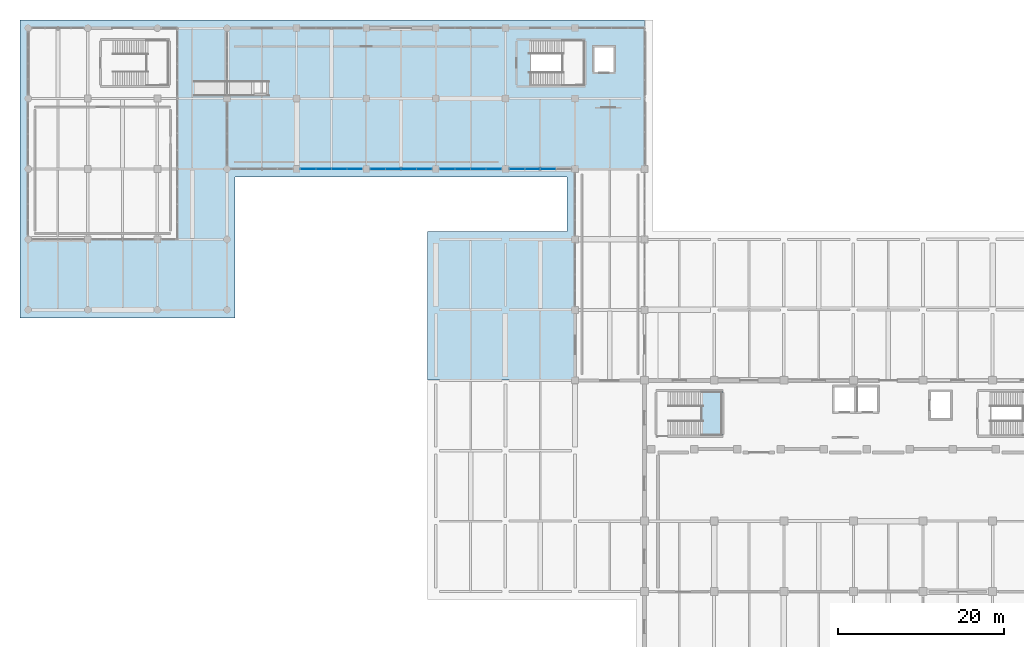
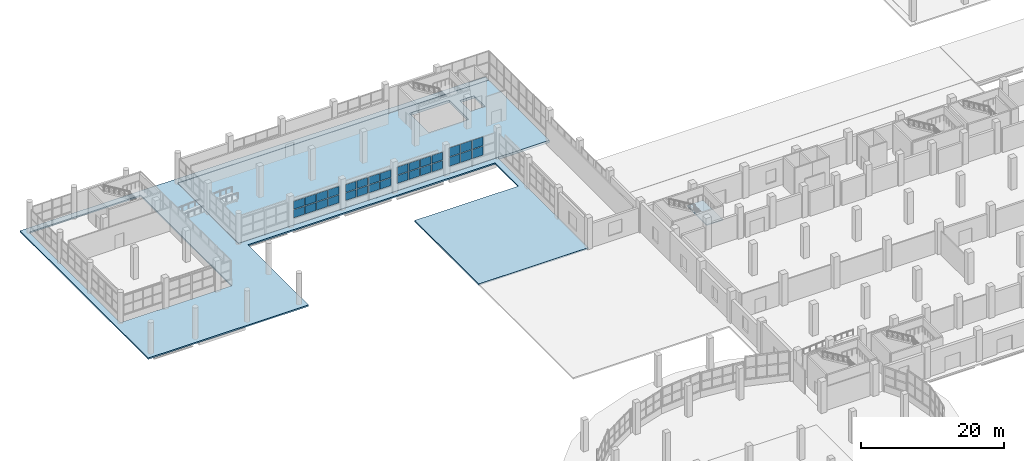
# One storey, part 78 of 107: 30 plates, 3 slabs, 5 elements without a shape of their own.
"""IFC4 building model written with IfcOpenShell, lengths in metres."""

from ifc_helpers import new_model, si_unit, direction, frame, origin, origin_2d, place, context, subcontext, project, spatial, polyline, rectangle, outline, extrude, material, layer, layer_set, type_object, element, aggregate, save


model = new_model("IFC4")

# Units and contexts
model_context = context("Model", 3, precision=1e-05, world=origin(), true_north=direction((0.0, 1.0)))
body_context = subcontext(model_context, "Body", "Model", "MODEL_VIEW")
ifc_project = project(units=[si_unit("LENGTHUNIT", "METRE"), si_unit("AREAUNIT", "SQUARE_METRE"), si_unit("VOLUMEUNIT", "CUBIC_METRE"), si_unit("PLANEANGLEUNIT", "RADIAN"), si_unit("MASSUNIT", "GRAM", prefix="KILO")], contexts=[model_context])

# Site, building, storey
site_placement = place(None, origin())
site = spatial("IfcSite", under=ifc_project, at=site_placement, CompositionType="ELEMENT")
building_placement = place(site_placement, origin())
building = spatial("IfcBuilding", under=site, at=building_placement, Name="Solvento Point Concert Hall", CompositionType="ELEMENT")
storey_placement = place(building_placement, origin())
storey = spatial("IfcBuildingStorey", under=building, at=storey_placement, Name="L00", CompositionType="ELEMENT", Elevation=0.0)

# Curtain wall, plates
ifc_material_1 = material(Name="Anodized Bronze Aluminium", Category="aluminium")
curtain_wall_type = type_object("IfcCurtainWallType", Name="CurtainWall_CourtPilotis", PredefinedType="USERDEFINED", material=ifc_material_1)
curtain_wall_1_placement = place(storey_placement, origin())
curtain_wall_1 = element("IfcCurtainWall", 1, at=curtain_wall_1_placement, inside=storey, type_object=curtain_wall_type, Name="Unitised curtain wall CW-96 UCW-L00-023", ObjectType="UNITISED CURTAIN WALL", PredefinedType="USERDEFINED")
ifc_material_2 = material(Name="Hurricane Laminated Low-E Glass", Category="glass")
plate_type = type_object("IfcPlateType", Name="CurtainPanel_CourtPilotis", PredefinedType="CURTAIN_PANEL", material=ifc_material_2)
plate_1_placement = place(storey_placement, frame((33.794921875, 119.0, 1.240234375), z_axis=(0.0, 0.0, 1.0), x_axis=(1.0, 0.0, 0.0)))
plate_1 = element("IfcPlate", 2, at=plate_1_placement, type_object=plate_type, Name="Glazed curtain panel GL-06", PredefinedType="CURTAIN_PANEL", context=body_context, shape_type="SweptSolid", body=[
    extrude(rectangle(XDim=1.75, YDim=0.030029296875, at=origin_2d()), origin(), (0.0, 0.0, 1.0), 1.348388671875),
])
plate_2_placement = place(storey_placement, frame((33.794921875, 119.0, 2.70849609375), z_axis=(0.0, 0.0, 1.0), x_axis=(1.0, 0.0, 0.0)))
plate_2 = element("IfcPlate", 3, at=plate_2_placement, type_object=plate_type, Name="Glazed curtain panel GL-06", PredefinedType="CURTAIN_PANEL", context=body_context, shape_type="SweptSolid", body=[
    extrude(rectangle(XDim=1.75, YDim=0.030029296875, at=origin_2d()), origin(), (0.0, 0.0, 1.0), 1.348388671875),
])
plate_3_placement = place(storey_placement, frame((35.6650390625, 119.0, 1.240234375), z_axis=(0.0, 0.0, 1.0), x_axis=(1.0, 0.0, 0.0)))
plate_3 = element("IfcPlate", 4, at=plate_3_placement, type_object=plate_type, Name="Glazed curtain panel GL-06", PredefinedType="CURTAIN_PANEL", context=body_context, shape_type="SweptSolid", body=[
    extrude(rectangle(XDim=1.75, YDim=0.030029296875, at=origin_2d()), origin(), (0.0, 0.0, 1.0), 1.348388671875),
])
plate_4_placement = place(storey_placement, frame((35.6650390625, 119.0, 2.70849609375), z_axis=(0.0, 0.0, 1.0), x_axis=(1.0, 0.0, 0.0)))
plate_4 = element("IfcPlate", 5, at=plate_4_placement, type_object=plate_type, Name="Glazed curtain panel GL-06", PredefinedType="CURTAIN_PANEL", context=body_context, shape_type="SweptSolid", body=[
    extrude(rectangle(XDim=1.75, YDim=0.030029296875, at=origin_2d()), origin(), (0.0, 0.0, 1.0), 1.348388671875),
])
plate_5_placement = place(storey_placement, frame((37.534912109375, 119.0, 1.240234375), z_axis=(0.0, 0.0, 1.0), x_axis=(1.0, 0.0, 0.0)))
plate_5 = element("IfcPlate", 6, at=plate_5_placement, type_object=plate_type, Name="Glazed curtain panel GL-06", PredefinedType="CURTAIN_PANEL", context=body_context, shape_type="SweptSolid", body=[
    extrude(rectangle(XDim=1.75, YDim=0.030029296875, at=origin_2d()), origin(), (0.0, 0.0, 1.0), 1.348388671875),
])
plate_6_placement = place(storey_placement, frame((37.534912109375, 119.0, 2.70849609375), z_axis=(0.0, 0.0, 1.0), x_axis=(1.0, 0.0, 0.0)))
plate_6 = element("IfcPlate", 7, at=plate_6_placement, type_object=plate_type, Name="Glazed curtain panel GL-06", PredefinedType="CURTAIN_PANEL", context=body_context, shape_type="SweptSolid", body=[
    extrude(rectangle(XDim=1.75, YDim=0.030029296875, at=origin_2d()), origin(), (0.0, 0.0, 1.0), 1.348388671875),
])
plate_7_placement = place(storey_placement, frame((39.405029296875, 119.0, 1.240234375), z_axis=(0.0, 0.0, 1.0), x_axis=(1.0, 0.0, 0.0)))
plate_7 = element("IfcPlate", 8, at=plate_7_placement, type_object=plate_type, Name="Glazed curtain panel GL-06", PredefinedType="CURTAIN_PANEL", context=body_context, shape_type="SweptSolid", body=[
    extrude(rectangle(XDim=1.75, YDim=0.030029296875, at=origin_2d()), origin(), (0.0, 0.0, 1.0), 1.348388671875),
])
plate_8_placement = place(storey_placement, frame((39.405029296875, 119.0, 2.70849609375), z_axis=(0.0, 0.0, 1.0), x_axis=(1.0, 0.0, 0.0)))
plate_8 = element("IfcPlate", 9, at=plate_8_placement, type_object=plate_type, Name="Glazed curtain panel GL-06", PredefinedType="CURTAIN_PANEL", context=body_context, shape_type="SweptSolid", body=[
    extrude(rectangle(XDim=1.75, YDim=0.030029296875, at=origin_2d()), origin(), (0.0, 0.0, 1.0), 1.348388671875),
])
aggregate(curtain_wall_1, [plate_1, plate_2, plate_3, plate_4, plate_5, plate_6, plate_7, plate_8])

curtain_wall_2_placement = place(storey_placement, origin())
curtain_wall_2 = element("IfcCurtainWall", 10, at=curtain_wall_2_placement, inside=storey, type_object=curtain_wall_type, Name="Unitised curtain wall CW-96 UCW-L00-024", ObjectType="UNITISED CURTAIN WALL", PredefinedType="USERDEFINED")
plate_9_placement = place(storey_placement, frame((42.195068359375, 119.0, 1.23974609375), z_axis=(0.0, 0.0, 1.0), x_axis=(1.0, 0.0, 0.0)))
plate_9 = element("IfcPlate", 11, at=plate_9_placement, type_object=plate_type, Name="Glazed curtain panel GL-06", PredefinedType="CURTAIN_PANEL", context=body_context, shape_type="SweptSolid", body=[
    extrude(rectangle(XDim=1.75, YDim=0.030029296875, at=origin_2d()), origin(), (0.0, 0.0, 1.0), 1.299072265625),
])
plate_10_placement = place(storey_placement, frame((42.195068359375, 119.0, 2.6591796875), z_axis=(0.0, 0.0, 1.0), x_axis=(1.0, 0.0, 0.0)))
plate_10 = element("IfcPlate", 12, at=plate_10_placement, type_object=plate_type, Name="Glazed curtain panel GL-06", PredefinedType="CURTAIN_PANEL", context=body_context, shape_type="SweptSolid", body=[
    extrude(rectangle(XDim=1.75, YDim=0.030029296875, at=origin_2d()), origin(), (0.0, 0.0, 1.0), 1.299072265625),
])
plate_11_placement = place(storey_placement, frame((44.06494140625, 119.0, 1.23974609375), z_axis=(0.0, 0.0, 1.0), x_axis=(1.0, 0.0, 0.0)))
plate_11 = element("IfcPlate", 13, at=plate_11_placement, type_object=plate_type, Name="Glazed curtain panel GL-06", PredefinedType="CURTAIN_PANEL", context=body_context, shape_type="SweptSolid", body=[
    extrude(rectangle(XDim=1.75, YDim=0.030029296875, at=origin_2d()), origin(), (0.0, 0.0, 1.0), 1.299072265625),
])
plate_12_placement = place(storey_placement, frame((44.06494140625, 119.0, 2.6591796875), z_axis=(0.0, 0.0, 1.0), x_axis=(1.0, 0.0, 0.0)))
plate_12 = element("IfcPlate", 14, at=plate_12_placement, type_object=plate_type, Name="Glazed curtain panel GL-06", PredefinedType="CURTAIN_PANEL", context=body_context, shape_type="SweptSolid", body=[
    extrude(rectangle(XDim=1.75, YDim=0.030029296875, at=origin_2d()), origin(), (0.0, 0.0, 1.0), 1.299072265625),
])
plate_13_placement = place(storey_placement, frame((45.93505859375, 119.0, 1.23974609375), z_axis=(0.0, 0.0, 1.0), x_axis=(1.0, 0.0, 0.0)))
plate_13 = element("IfcPlate", 15, at=plate_13_placement, type_object=plate_type, Name="Glazed curtain panel GL-06", PredefinedType="CURTAIN_PANEL", context=body_context, shape_type="SweptSolid", body=[
    extrude(rectangle(XDim=1.75, YDim=0.030029296875, at=origin_2d()), origin(), (0.0, 0.0, 1.0), 1.299072265625),
])
plate_14_placement = place(storey_placement, frame((45.93505859375, 119.0, 2.6591796875), z_axis=(0.0, 0.0, 1.0), x_axis=(1.0, 0.0, 0.0)))
plate_14 = element("IfcPlate", 16, at=plate_14_placement, type_object=plate_type, Name="Glazed curtain panel GL-06", PredefinedType="CURTAIN_PANEL", context=body_context, shape_type="SweptSolid", body=[
    extrude(rectangle(XDim=1.75, YDim=0.030029296875, at=origin_2d()), origin(), (0.0, 0.0, 1.0), 1.299072265625),
])
plate_15_placement = place(storey_placement, frame((47.804931640625, 119.0, 1.23974609375), z_axis=(0.0, 0.0, 1.0), x_axis=(1.0, 0.0, 0.0)))
plate_15 = element("IfcPlate", 17, at=plate_15_placement, type_object=plate_type, Name="Glazed curtain panel GL-06", PredefinedType="CURTAIN_PANEL", context=body_context, shape_type="SweptSolid", body=[
    extrude(rectangle(XDim=1.75, YDim=0.030029296875, at=origin_2d()), origin(), (0.0, 0.0, 1.0), 1.299072265625),
])
plate_16_placement = place(storey_placement, frame((47.804931640625, 119.0, 2.6591796875), z_axis=(0.0, 0.0, 1.0), x_axis=(1.0, 0.0, 0.0)))
plate_16 = element("IfcPlate", 18, at=plate_16_placement, type_object=plate_type, Name="Glazed curtain panel GL-06", PredefinedType="CURTAIN_PANEL", context=body_context, shape_type="SweptSolid", body=[
    extrude(rectangle(XDim=1.75, YDim=0.030029296875, at=origin_2d()), origin(), (0.0, 0.0, 1.0), 1.299072265625),
])
aggregate(curtain_wall_2, [plate_9, plate_10, plate_11, plate_12, plate_13, plate_14, plate_15, plate_16])

curtain_wall_3_placement = place(storey_placement, origin())
curtain_wall_3 = element("IfcCurtainWall", 19, at=curtain_wall_3_placement, inside=storey, type_object=curtain_wall_type, Name="Unitised curtain wall CW-96 UCW-L00-025", ObjectType="UNITISED CURTAIN WALL", PredefinedType="USERDEFINED")
plate_17_placement = place(storey_placement, frame((50.594970703125, 119.0, 1.23974609375), z_axis=(0.0, 0.0, 1.0), x_axis=(1.0, 0.0, 0.0)))
plate_17 = element("IfcPlate", 20, at=plate_17_placement, type_object=plate_type, Name="Glazed curtain panel GL-06", PredefinedType="CURTAIN_PANEL", context=body_context, shape_type="SweptSolid", body=[
    extrude(rectangle(XDim=1.75, YDim=0.030029296875, at=origin_2d()), origin(), (0.0, 0.0, 1.0), 1.342041015625),
])
plate_18_placement = place(storey_placement, frame((50.594970703125, 119.0, 2.7021484375), z_axis=(0.0, 0.0, 1.0), x_axis=(1.0, 0.0, 0.0)))
plate_18 = element("IfcPlate", 21, at=plate_18_placement, type_object=plate_type, Name="Glazed curtain panel GL-06", PredefinedType="CURTAIN_PANEL", context=body_context, shape_type="SweptSolid", body=[
    extrude(rectangle(XDim=1.75, YDim=0.030029296875, at=origin_2d()), origin(), (0.0, 0.0, 1.0), 1.342041015625),
])
plate_19_placement = place(storey_placement, frame((52.465087890625, 119.0, 1.23974609375), z_axis=(0.0, 0.0, 1.0), x_axis=(1.0, 0.0, 0.0)))
plate_19 = element("IfcPlate", 22, at=plate_19_placement, type_object=plate_type, Name="Glazed curtain panel GL-06", PredefinedType="CURTAIN_PANEL", context=body_context, shape_type="SweptSolid", body=[
    extrude(rectangle(XDim=1.75, YDim=0.030029296875, at=origin_2d()), origin(), (0.0, 0.0, 1.0), 1.342041015625),
])
plate_20_placement = place(storey_placement, frame((52.465087890625, 119.0, 2.7021484375), z_axis=(0.0, 0.0, 1.0), x_axis=(1.0, 0.0, 0.0)))
plate_20 = element("IfcPlate", 23, at=plate_20_placement, type_object=plate_type, Name="Glazed curtain panel GL-06", PredefinedType="CURTAIN_PANEL", context=body_context, shape_type="SweptSolid", body=[
    extrude(rectangle(XDim=1.75, YDim=0.030029296875, at=origin_2d()), origin(), (0.0, 0.0, 1.0), 1.342041015625),
])
plate_21_placement = place(storey_placement, frame((54.3349609375, 119.0, 1.23974609375), z_axis=(0.0, 0.0, 1.0), x_axis=(1.0, 0.0, 0.0)))
plate_21 = element("IfcPlate", 24, at=plate_21_placement, type_object=plate_type, Name="Glazed curtain panel GL-06", PredefinedType="CURTAIN_PANEL", context=body_context, shape_type="SweptSolid", body=[
    extrude(rectangle(XDim=1.75, YDim=0.030029296875, at=origin_2d()), origin(), (0.0, 0.0, 1.0), 1.342041015625),
])
plate_22_placement = place(storey_placement, frame((54.3349609375, 119.0, 2.7021484375), z_axis=(0.0, 0.0, 1.0), x_axis=(1.0, 0.0, 0.0)))
plate_22 = element("IfcPlate", 25, at=plate_22_placement, type_object=plate_type, Name="Glazed curtain panel GL-06", PredefinedType="CURTAIN_PANEL", context=body_context, shape_type="SweptSolid", body=[
    extrude(rectangle(XDim=1.75, YDim=0.030029296875, at=origin_2d()), origin(), (0.0, 0.0, 1.0), 1.342041015625),
])
plate_23_placement = place(storey_placement, frame((56.205078125, 119.0, 1.23974609375), z_axis=(0.0, 0.0, 1.0), x_axis=(1.0, 0.0, 0.0)))
plate_23 = element("IfcPlate", 26, at=plate_23_placement, type_object=plate_type, Name="Glazed curtain panel GL-06", PredefinedType="CURTAIN_PANEL", context=body_context, shape_type="SweptSolid", body=[
    extrude(rectangle(XDim=1.75, YDim=0.030029296875, at=origin_2d()), origin(), (0.0, 0.0, 1.0), 1.342041015625),
])
plate_24_placement = place(storey_placement, frame((56.205078125, 119.0, 2.7021484375), z_axis=(0.0, 0.0, 1.0), x_axis=(1.0, 0.0, 0.0)))
plate_24 = element("IfcPlate", 27, at=plate_24_placement, type_object=plate_type, Name="Glazed curtain panel GL-06", PredefinedType="CURTAIN_PANEL", context=body_context, shape_type="SweptSolid", body=[
    extrude(rectangle(XDim=1.75, YDim=0.030029296875, at=origin_2d()), origin(), (0.0, 0.0, 1.0), 1.342041015625),
])
aggregate(curtain_wall_3, [plate_17, plate_18, plate_19, plate_20, plate_21, plate_22, plate_23, plate_24])

curtain_wall_4_placement = place(storey_placement, origin())
curtain_wall_4 = element("IfcCurtainWall", 28, at=curtain_wall_4_placement, inside=storey, type_object=curtain_wall_type, Name="Unitised curtain wall CW-96 UCW-L00-026", ObjectType="UNITISED CURTAIN WALL", PredefinedType="USERDEFINED")
plate_25_placement = place(storey_placement, frame((58.9951171875, 119.0, 1.23974609375), z_axis=(0.0, 0.0, 1.0), x_axis=(1.0, 0.0, 0.0)))
plate_25 = element("IfcPlate", 29, at=plate_25_placement, type_object=plate_type, Name="Glazed curtain panel GL-06", PredefinedType="CURTAIN_PANEL", context=body_context, shape_type="SweptSolid", body=[
    extrude(rectangle(XDim=1.75, YDim=0.030029296875, at=origin_2d()), origin(), (0.0, 0.0, 1.0), 1.508056640625),
])
plate_26_placement = place(storey_placement, frame((58.9951171875, 119.0, 2.8681640625), z_axis=(0.0, 0.0, 1.0), x_axis=(1.0, 0.0, 0.0)))
plate_26 = element("IfcPlate", 30, at=plate_26_placement, type_object=plate_type, Name="Glazed curtain panel GL-06", PredefinedType="CURTAIN_PANEL", context=body_context, shape_type="SweptSolid", body=[
    extrude(rectangle(XDim=1.75, YDim=0.030029296875, at=origin_2d()), origin(), (0.0, 0.0, 1.0), 1.508056640625),
])
plate_27_placement = place(storey_placement, frame((60.864990234375, 119.0, 1.23974609375), z_axis=(0.0, 0.0, 1.0), x_axis=(1.0, 0.0, 0.0)))
plate_27 = element("IfcPlate", 31, at=plate_27_placement, type_object=plate_type, Name="Glazed curtain panel GL-06", PredefinedType="CURTAIN_PANEL", context=body_context, shape_type="SweptSolid", body=[
    extrude(rectangle(XDim=1.75, YDim=0.030029296875, at=origin_2d()), origin(), (0.0, 0.0, 1.0), 1.508056640625),
])
plate_28_placement = place(storey_placement, frame((60.864990234375, 119.0, 2.8681640625), z_axis=(0.0, 0.0, 1.0), x_axis=(1.0, 0.0, 0.0)))
plate_28 = element("IfcPlate", 32, at=plate_28_placement, type_object=plate_type, Name="Glazed curtain panel GL-06", PredefinedType="CURTAIN_PANEL", context=body_context, shape_type="SweptSolid", body=[
    extrude(rectangle(XDim=1.75, YDim=0.030029296875, at=origin_2d()), origin(), (0.0, 0.0, 1.0), 1.508056640625),
])
plate_29_placement = place(storey_placement, frame((62.735107421875, 119.0, 1.23974609375), z_axis=(0.0, 0.0, 1.0), x_axis=(1.0, 0.0, 0.0)))
plate_29 = element("IfcPlate", 33, at=plate_29_placement, type_object=plate_type, Name="Glazed curtain panel GL-06", PredefinedType="CURTAIN_PANEL", context=body_context, shape_type="SweptSolid", body=[
    extrude(rectangle(XDim=1.75, YDim=0.030029296875, at=origin_2d()), origin(), (0.0, 0.0, 1.0), 1.508056640625),
])
plate_30_placement = place(storey_placement, frame((62.735107421875, 119.0, 2.8681640625), z_axis=(0.0, 0.0, 1.0), x_axis=(1.0, 0.0, 0.0)))
plate_30 = element("IfcPlate", 34, at=plate_30_placement, type_object=plate_type, Name="Glazed curtain panel GL-06", PredefinedType="CURTAIN_PANEL", context=body_context, shape_type="SweptSolid", body=[
    extrude(rectangle(XDim=1.75, YDim=0.030029296875, at=origin_2d()), origin(), (0.0, 0.0, 1.0), 1.508056640625),
])
aggregate(curtain_wall_4, [plate_25, plate_26, plate_27, plate_28, plate_29, plate_30])

# Slab
ifc_material_3 = material(Name="Concrete C35/45", Category="concrete")
ifc_layer_1 = layer(ifc_material_3, 0.409912109375)
ifc_layer_set_1 = layer_set([ifc_layer_1], Name="Concrete C35/45")
slab_type_1 = type_object("IfcSlabType", Name="FloorSlab_405_Ground", PredefinedType="FLOOR", material=ifc_layer_set_1)
slab_1_placement = place(storey_placement, frame((0.0, 0.0, -0.409912109375)))
element("IfcSlab", 35, at=slab_1_placement, inside=storey, type_object=slab_type_1, Name="Structural slab SL-G40 SLAB-L00-V4N", PredefinedType="FLOOR", context=body_context, shape_type="SweptSolid", body=[
    extrude(outline(polyline([(24.0, 136.0), (74.39990234375, 136.0), (74.39990234375, 119.0), (24.0, 119.0), (24.0, 136.0)]), holes=[polyline([(70.679931640625, 133.679931640625), (68.320068359375, 133.679931640625), (68.320068359375, 130.719970703125), (70.679931640625, 130.719970703125), (70.679931640625, 133.679931640625)]), polyline([(67.10009765625, 134.5), (60.64990234375, 134.5), (60.64990234375, 129.10009765625), (67.10009765625, 129.10009765625), (67.10009765625, 134.5)])]), origin(), (0.0, 0.0, 1.0), 0.409912109375),
])

# Stair, slab
ifc_material_4 = material(Name="Concrete C35/45", Category="concrete")
stair_type = type_object("IfcStairType", Name="CoreStair_1760", PredefinedType="HALF_TURN_STAIR", material=ifc_material_4)
stair_placement = place(storey_placement, origin())
stair = element("IfcStair", 36, at=stair_placement, inside=storey, type_object=stair_type, Name="Auditorium vomitory exit stair VOM-03 (L00 to L01)", PredefinedType="HALF_TURN_STAIR")
ifc_material_5 = material(Name="Concrete C35/45", Category="concrete")
ifc_layer_2 = layer(ifc_material_5, 0.179931640625)
ifc_layer_set_2 = layer_set([ifc_layer_2], Name="Concrete C35/45")
slab_type_2 = type_object("IfcSlabType", Name="StairLanding_180", PredefinedType="LANDING", material=ifc_layer_set_2)
slab_2_placement = place(storey_placement, frame((0.0, 0.0, 2.52001953125)))
slab_2 = element("IfcSlab", 37, at=slab_2_placement, type_object=slab_type_2, Name="Stair half-landing VOM-03 L00", PredefinedType="LANDING", context=body_context, shape_type="SweptSolid", body=[
    extrude(outline(polyline([(81.199951171875, 86.760009765625), (83.840087890625, 86.760009765625), (83.840087890625, 92.239990234375), (81.199951171875, 92.239990234375), (81.199951171875, 86.760009765625)])), origin(), (0.0, 0.0, 1.0), 0.179931640625),
])
aggregate(stair, [slab_2])

# Slab
ifc_material_6 = material(Name="Concrete C40/50", Category="concrete")
ifc_layer_3 = layer(ifc_material_6, 0.239990234375)
ifc_layer_set_3 = layer_set([ifc_layer_3], Name="Concrete C40/50")
slab_type_3 = type_object("IfcSlabType", Name="TerraceSlab_250", PredefinedType="FLOOR", material=ifc_layer_set_3)
slab_3_placement = place(storey_placement, frame((0.0, 0.0, -0.239990234375)))
element("IfcSlab", 38, at=slab_3_placement, inside=storey, type_object=slab_type_3, Name="Outdoor public terrace deck L00", PredefinedType="FLOOR", context=body_context, shape_type="SweptSolid", body=[
    extrude(outline(polyline([(65.02001953125, 111.47998046875), (65.02001953125, 118.02001953125), (24.97998046875, 118.02001953125), (24.97998046875, 101.02001953125), (-0.97998046875, 101.02001953125), (-0.97998046875, 136.97998046875), (74.3798828125, 136.97998046875), (74.3798828125, 136.02490234375), (23.97509765625, 136.02490234375), (23.97509765625, 118.97509765625), (65.97509765625, 118.97509765625), (65.97509765625, 93.52001953125), (48.219970703125, 93.52001953125), (48.219970703125, 111.47998046875), (65.02001953125, 111.47998046875)]), holes=[polyline([(18.02490234375, 110.47509765625), (18.02490234375, 136.02490234375), (-0.02490234375, 136.02490234375), (-0.02490234375, 110.47509765625), (18.02490234375, 110.47509765625)])]), origin(), (0.0, 0.0, 1.0), 0.239990234375),
])

save(model, "model.ifc")
